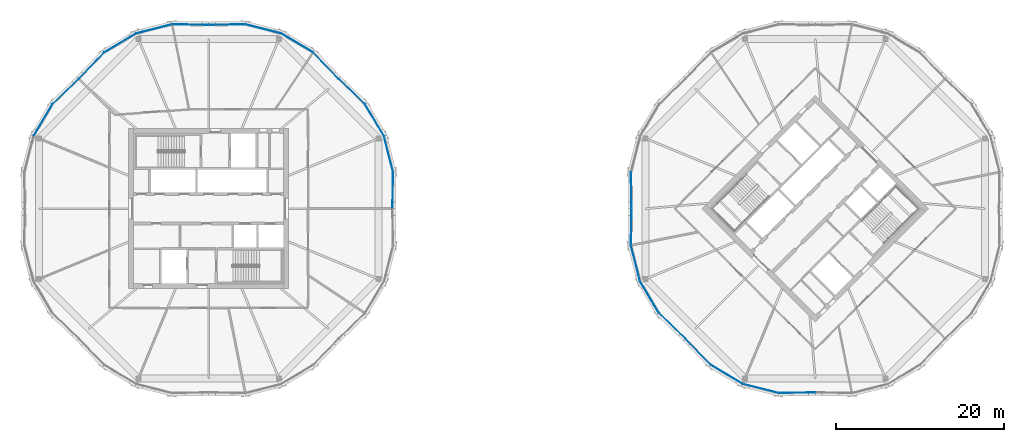
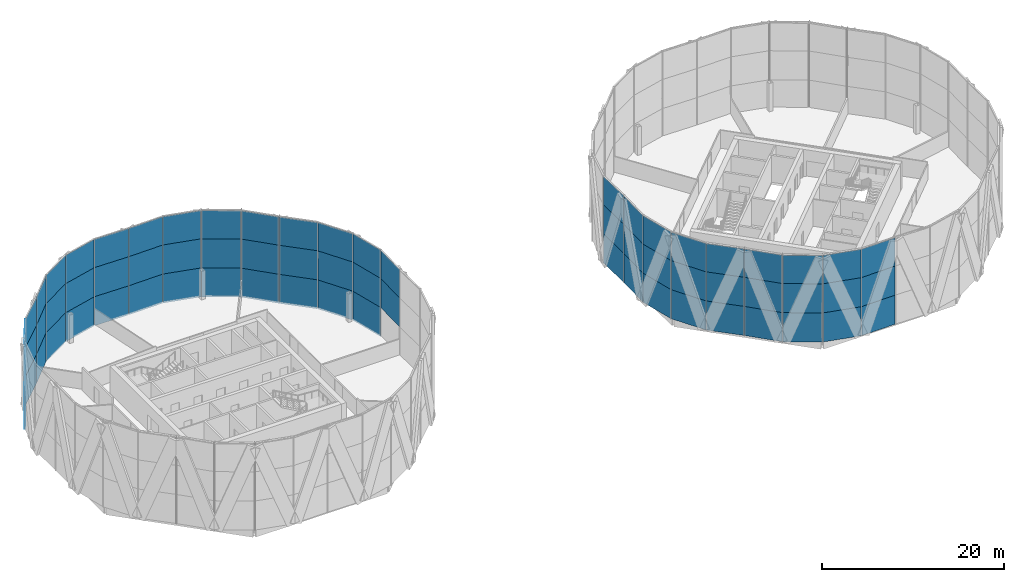
# One storey, part 14 of 23: 68 plates, 7 elements without a shape of their own.
"""IFC4 building model written with IfcOpenShell, lengths in metres."""

from ifc_helpers import new_model, si_unit, direction, frame, origin, origin_2d, place, context, subcontext, project, spatial, rectangle, extrude, material, layer, layer_set, type_object, element, aggregate, save


model = new_model("IFC4")

# Units and contexts
model_context = context("Model", 3, precision=1e-05, world=origin(), true_north=direction((0.0, 1.0)))
body_context = subcontext(model_context, "Body", "Model", "MODEL_VIEW")
ifc_project = project(units=[si_unit("LENGTHUNIT", "METRE"), si_unit("AREAUNIT", "SQUARE_METRE"), si_unit("VOLUMEUNIT", "CUBIC_METRE"), si_unit("PLANEANGLEUNIT", "RADIAN"), si_unit("MASSUNIT", "GRAM", prefix="KILO")], contexts=[model_context])

# Site, building, storey
site_placement = place(None, origin())
site = spatial("IfcSite", under=ifc_project, at=site_placement, CompositionType="ELEMENT")
building_placement = place(site_placement, origin())
building = spatial("IfcBuilding", under=site, at=building_placement, Name="Ogive Gate Towers", CompositionType="ELEMENT")
storey_placement = place(building_placement, frame((0.0, 0.0, 177.300048828125)))
storey = spatial("IfcBuildingStorey", under=building, at=storey_placement, Name="L42", CompositionType="ELEMENT", Elevation=177.300048828125)

# Curtain wall, plates
ifc_material_1 = material(Name="Pale metal aluminium", Category="aluminium")
curtain_wall_type = type_object("IfcCurtainWallType", Name="Tower unitised wall, high zone", PredefinedType="NOTDEFINED", material=ifc_material_1)
curtain_wall_1_placement = place(storey_placement, origin())
curtain_wall_1 = element("IfcCurtainWall", 1, at=curtain_wall_1_placement, inside=storey, type_object=curtain_wall_type, Name="CW2 T1 ECW01", PredefinedType="NOTDEFINED")
ifc_material_2 = material(Name="Clear glass", Category="glass")
ifc_layer = layer(ifc_material_2, 0.028076171875)
ifc_layer_set = layer_set([ifc_layer], Name="Tower unitised wall, high zone glass panel")
plate_type = type_object("IfcPlateType", Name="Tower unitised wall, high zone glass panel", PredefinedType="CURTAIN_PANEL", material=ifc_layer_set)
plate_1_placement = place(storey_placement, frame((-14.1533203125, 2.17041015625, 3.60009765625), z_axis=(0.0, 0.0, 1.0), x_axis=(0.016911434246, 0.99985699147, 0.0)))
plate_1 = element("IfcPlate", 2, at=plate_1_placement, type_object=plate_type, Name="CW2 glass panel", PredefinedType="CURTAIN_PANEL", context=body_context, shape_type="SweptSolid", body=[
    extrude(rectangle(XDim=4.287353515625, YDim=0.028076171875, at=origin_2d()), origin(), (0.0, 0.0, 1.0), 3.89990234375),
])
plate_2_placement = place(storey_placement, frame((-14.1533203125, 2.17041015625, 7.5), z_axis=(0.0, 0.0, 1.0), x_axis=(0.016911434246, 0.99985699147, 0.0)))
plate_2 = element("IfcPlate", 3, at=plate_2_placement, type_object=plate_type, Name="CW2 glass panel", PredefinedType="CURTAIN_PANEL", context=body_context, shape_type="SweptSolid", body=[
    extrude(rectangle(XDim=4.287353515625, YDim=0.028076171875, at=origin_2d()), origin(), (0.0, 0.0, 1.0), 3.803955078125),
])
plate_3_placement = place(storey_placement, frame((-14.659423828125, 6.4794921875, -0.300048828125), z_axis=(0.0, 0.0, 1.0), x_axis=(-0.246491603437, 0.969144926951, 0.0)))
plate_3 = element("IfcPlate", 4, at=plate_3_placement, type_object=plate_type, Name="CW2 glass panel", PredefinedType="CURTAIN_PANEL", context=body_context, shape_type="SweptSolid", body=[
    extrude(rectangle(XDim=4.343994140625, YDim=0.028076171875, at=origin_2d()), origin(), (0.0, 0.0, 1.0), 3.89990234375),
])
plate_4_placement = place(storey_placement, frame((-14.659423828125, 6.4794921875, 3.60009765625), z_axis=(0.0, 0.0, 1.0), x_axis=(-0.246491603437, 0.969144926951, 0.0)))
plate_4 = element("IfcPlate", 5, at=plate_4_placement, type_object=plate_type, Name="CW2 glass panel", PredefinedType="CURTAIN_PANEL", context=body_context, shape_type="SweptSolid", body=[
    extrude(rectangle(XDim=4.343994140625, YDim=0.028076171875, at=origin_2d()), origin(), (0.0, 0.0, 1.0), 3.89990234375),
])
plate_5_placement = place(storey_placement, frame((-14.659423828125, 6.4794921875, 7.5), z_axis=(0.0, 0.0, 1.0), x_axis=(-0.246491603437, 0.969144926951, 0.0)))
plate_5 = element("IfcPlate", 6, at=plate_5_placement, type_object=plate_type, Name="CW2 glass panel", PredefinedType="CURTAIN_PANEL", context=body_context, shape_type="SweptSolid", body=[
    extrude(rectangle(XDim=4.343994140625, YDim=0.028076171875, at=origin_2d()), origin(), (0.0, 0.0, 1.0), 3.803955078125),
])
plate_6_placement = place(storey_placement, frame((-16.328125, 10.50830078125, -0.300048828125), z_axis=(0.0, 0.0, 1.0), x_axis=(-0.510993065504, 0.859584834096, 0.0)))
plate_6 = element("IfcPlate", 7, at=plate_6_placement, type_object=plate_type, Name="CW2 glass panel", PredefinedType="CURTAIN_PANEL", context=body_context, shape_type="SweptSolid", body=[
    extrude(rectangle(XDim=4.343994140625, YDim=0.028076171875, at=origin_2d()), origin(), (0.0, 0.0, 1.0), 3.89990234375),
])
plate_7_placement = place(storey_placement, frame((-16.328125, 10.50830078125, 3.60009765625), z_axis=(0.0, 0.0, 1.0), x_axis=(-0.510993065504, 0.859584834096, 0.0)))
plate_7 = element("IfcPlate", 8, at=plate_7_placement, type_object=plate_type, Name="CW2 glass panel", PredefinedType="CURTAIN_PANEL", context=body_context, shape_type="SweptSolid", body=[
    extrude(rectangle(XDim=4.343994140625, YDim=0.028076171875, at=origin_2d()), origin(), (0.0, 0.0, 1.0), 3.89990234375),
])
plate_8_placement = place(storey_placement, frame((-16.328125, 10.50830078125, 7.5), z_axis=(0.0, 0.0, 1.0), x_axis=(-0.510993065504, 0.859584834096, 0.0)))
plate_8 = element("IfcPlate", 9, at=plate_8_placement, type_object=plate_type, Name="CW2 glass panel", PredefinedType="CURTAIN_PANEL", context=body_context, shape_type="SweptSolid", body=[
    extrude(rectangle(XDim=4.343994140625, YDim=0.028076171875, at=origin_2d()), origin(), (0.0, 0.0, 1.0), 3.803955078125),
])
plate_9_placement = place(storey_placement, frame((-19.017333984375, 13.9130859375, -0.300048828125), z_axis=(0.0, 0.0, 1.0), x_axis=(-0.71896384872, 0.69504746905, 0.0)))
plate_9 = element("IfcPlate", 10, at=plate_9_placement, type_object=plate_type, Name="CW2 glass panel", PredefinedType="CURTAIN_PANEL", context=body_context, shape_type="SweptSolid", body=[
    extrude(rectangle(XDim=4.287353515625, YDim=0.028076171875, at=origin_2d()), origin(), (0.0, 0.0, 1.0), 3.89990234375),
])
plate_10_placement = place(storey_placement, frame((-19.017333984375, 13.9130859375, 3.60009765625), z_axis=(0.0, 0.0, 1.0), x_axis=(-0.71896384872, 0.69504746905, 0.0)))
plate_10 = element("IfcPlate", 11, at=plate_10_placement, type_object=plate_type, Name="CW2 glass panel", PredefinedType="CURTAIN_PANEL", context=body_context, shape_type="SweptSolid", body=[
    extrude(rectangle(XDim=4.287353515625, YDim=0.028076171875, at=origin_2d()), origin(), (0.0, 0.0, 1.0), 3.89990234375),
])
plate_11_placement = place(storey_placement, frame((-19.017333984375, 13.9130859375, 7.5), z_axis=(0.0, 0.0, 1.0), x_axis=(-0.71896384872, 0.69504746905, 0.0)))
plate_11 = element("IfcPlate", 12, at=plate_11_placement, type_object=plate_type, Name="CW2 glass panel", PredefinedType="CURTAIN_PANEL", context=body_context, shape_type="SweptSolid", body=[
    extrude(rectangle(XDim=4.287353515625, YDim=0.028076171875, at=origin_2d()), origin(), (0.0, 0.0, 1.0), 3.803955078125),
])
aggregate(curtain_wall_1, [plate_1, plate_2, plate_3, plate_4, plate_5, plate_6, plate_7, plate_8, plate_9, plate_10, plate_11])

curtain_wall_2_placement = place(storey_placement, origin())
curtain_wall_2 = element("IfcCurtainWall", 13, at=curtain_wall_2_placement, inside=storey, type_object=curtain_wall_type, Name="CW2 T1 ECW02", PredefinedType="NOTDEFINED")
plate_12_placement = place(storey_placement, frame((-22.0869140625, 16.982666015625, -0.300048828125), z_axis=(0.0, 0.0, 1.0), x_axis=(-0.69504746905, 0.71896384872, 0.0)))
plate_12 = element("IfcPlate", 14, at=plate_12_placement, type_object=plate_type, Name="CW2 glass panel", PredefinedType="CURTAIN_PANEL", context=body_context, shape_type="SweptSolid", body=[
    extrude(rectangle(XDim=4.287353515625, YDim=0.028076171875, at=origin_2d()), origin(), (0.0, 0.0, 1.0), 3.89990234375),
])
plate_13_placement = place(storey_placement, frame((-22.0869140625, 16.982666015625, 3.60009765625), z_axis=(0.0, 0.0, 1.0), x_axis=(-0.69504746905, 0.71896384872, 0.0)))
plate_13 = element("IfcPlate", 15, at=plate_13_placement, type_object=plate_type, Name="CW2 glass panel", PredefinedType="CURTAIN_PANEL", context=body_context, shape_type="SweptSolid", body=[
    extrude(rectangle(XDim=4.287353515625, YDim=0.028076171875, at=origin_2d()), origin(), (0.0, 0.0, 1.0), 3.89990234375),
])
plate_14_placement = place(storey_placement, frame((-22.0869140625, 16.982666015625, 7.5), z_axis=(0.0, 0.0, 1.0), x_axis=(-0.69504746905, 0.71896384872, 0.0)))
plate_14 = element("IfcPlate", 16, at=plate_14_placement, type_object=plate_type, Name="CW2 glass panel", PredefinedType="CURTAIN_PANEL", context=body_context, shape_type="SweptSolid", body=[
    extrude(rectangle(XDim=4.287353515625, YDim=0.028076171875, at=origin_2d()), origin(), (0.0, 0.0, 1.0), 3.803955078125),
])
plate_15_placement = place(storey_placement, frame((-25.49169921875, 19.671875, -0.300048828125), z_axis=(0.0, 0.0, 1.0), x_axis=(-0.859584834096, 0.510993065504, 0.0)))
plate_15 = element("IfcPlate", 17, at=plate_15_placement, type_object=plate_type, Name="CW2 glass panel", PredefinedType="CURTAIN_PANEL", context=body_context, shape_type="SweptSolid", body=[
    extrude(rectangle(XDim=4.343994140625, YDim=0.028076171875, at=origin_2d()), origin(), (0.0, 0.0, 1.0), 3.89990234375),
])
plate_16_placement = place(storey_placement, frame((-25.49169921875, 19.671875, 3.60009765625), z_axis=(0.0, 0.0, 1.0), x_axis=(-0.859584834096, 0.510993065504, 0.0)))
plate_16 = element("IfcPlate", 18, at=plate_16_placement, type_object=plate_type, Name="CW2 glass panel", PredefinedType="CURTAIN_PANEL", context=body_context, shape_type="SweptSolid", body=[
    extrude(rectangle(XDim=4.343994140625, YDim=0.028076171875, at=origin_2d()), origin(), (0.0, 0.0, 1.0), 3.89990234375),
])
plate_17_placement = place(storey_placement, frame((-25.49169921875, 19.671875, 7.5), z_axis=(0.0, 0.0, 1.0), x_axis=(-0.859584834096, 0.510993065504, 0.0)))
plate_17 = element("IfcPlate", 19, at=plate_17_placement, type_object=plate_type, Name="CW2 glass panel", PredefinedType="CURTAIN_PANEL", context=body_context, shape_type="SweptSolid", body=[
    extrude(rectangle(XDim=4.343994140625, YDim=0.028076171875, at=origin_2d()), origin(), (0.0, 0.0, 1.0), 3.803955078125),
])
plate_18_placement = place(storey_placement, frame((-29.5205078125, 21.340576171875, -0.300048828125), z_axis=(0.0, 0.0, 1.0), x_axis=(-0.969144926951, 0.246491603437, 0.0)))
plate_18 = element("IfcPlate", 20, at=plate_18_placement, type_object=plate_type, Name="CW2 glass panel", PredefinedType="CURTAIN_PANEL", context=body_context, shape_type="SweptSolid", body=[
    extrude(rectangle(XDim=4.343994140625, YDim=0.028076171875, at=origin_2d()), origin(), (0.0, 0.0, 1.0), 3.89990234375),
])
plate_19_placement = place(storey_placement, frame((-29.5205078125, 21.340576171875, 3.60009765625), z_axis=(0.0, 0.0, 1.0), x_axis=(-0.969144926951, 0.246491603437, 0.0)))
plate_19 = element("IfcPlate", 21, at=plate_19_placement, type_object=plate_type, Name="CW2 glass panel", PredefinedType="CURTAIN_PANEL", context=body_context, shape_type="SweptSolid", body=[
    extrude(rectangle(XDim=4.343994140625, YDim=0.028076171875, at=origin_2d()), origin(), (0.0, 0.0, 1.0), 3.89990234375),
])
plate_20_placement = place(storey_placement, frame((-29.5205078125, 21.340576171875, 7.5), z_axis=(0.0, 0.0, 1.0), x_axis=(-0.969144926951, 0.246491603437, 0.0)))
plate_20 = element("IfcPlate", 22, at=plate_20_placement, type_object=plate_type, Name="CW2 glass panel", PredefinedType="CURTAIN_PANEL", context=body_context, shape_type="SweptSolid", body=[
    extrude(rectangle(XDim=4.343994140625, YDim=0.028076171875, at=origin_2d()), origin(), (0.0, 0.0, 1.0), 3.803955078125),
])
plate_21_placement = place(storey_placement, frame((-33.82958984375, 21.8466796875, -0.300048828125), z_axis=(0.0, 0.0, 1.0), x_axis=(-0.99985699147, -0.016911434246, 0.0)))
plate_21 = element("IfcPlate", 23, at=plate_21_placement, type_object=plate_type, Name="CW2 glass panel", PredefinedType="CURTAIN_PANEL", context=body_context, shape_type="SweptSolid", body=[
    extrude(rectangle(XDim=4.287353515625, YDim=0.028076171875, at=origin_2d()), origin(), (0.0, 0.0, 1.0), 3.89990234375),
])
plate_22_placement = place(storey_placement, frame((-33.82958984375, 21.8466796875, 3.60009765625), z_axis=(0.0, 0.0, 1.0), x_axis=(-0.99985699147, -0.016911434246, 0.0)))
plate_22 = element("IfcPlate", 24, at=plate_22_placement, type_object=plate_type, Name="CW2 glass panel", PredefinedType="CURTAIN_PANEL", context=body_context, shape_type="SweptSolid", body=[
    extrude(rectangle(XDim=4.287353515625, YDim=0.028076171875, at=origin_2d()), origin(), (0.0, 0.0, 1.0), 3.89990234375),
])
plate_23_placement = place(storey_placement, frame((-33.82958984375, 21.8466796875, 7.5), z_axis=(0.0, 0.0, 1.0), x_axis=(-0.99985699147, -0.016911434246, 0.0)))
plate_23 = element("IfcPlate", 25, at=plate_23_placement, type_object=plate_type, Name="CW2 glass panel", PredefinedType="CURTAIN_PANEL", context=body_context, shape_type="SweptSolid", body=[
    extrude(rectangle(XDim=4.287353515625, YDim=0.028076171875, at=origin_2d()), origin(), (0.0, 0.0, 1.0), 3.803955078125),
])
aggregate(curtain_wall_2, [plate_12, plate_13, plate_14, plate_15, plate_16, plate_17, plate_18, plate_19, plate_20, plate_21, plate_22, plate_23])

curtain_wall_3_placement = place(storey_placement, origin())
curtain_wall_3 = element("IfcCurtainWall", 26, at=curtain_wall_3_placement, inside=storey, type_object=curtain_wall_type, Name="CW2 T1 ECW03", PredefinedType="NOTDEFINED")
plate_24_placement = place(storey_placement, frame((-38.17041015625, 21.8466796875, -0.300048828125), z_axis=(0.0, 0.0, 1.0), x_axis=(-0.99985699147, 0.016911434246, 0.0)))
plate_24 = element("IfcPlate", 27, at=plate_24_placement, type_object=plate_type, Name="CW2 glass panel", PredefinedType="CURTAIN_PANEL", context=body_context, shape_type="SweptSolid", body=[
    extrude(rectangle(XDim=4.287353515625, YDim=0.028076171875, at=origin_2d()), origin(), (0.0, 0.0, 1.0), 3.89990234375),
])
plate_25_placement = place(storey_placement, frame((-38.17041015625, 21.8466796875, 3.60009765625), z_axis=(0.0, 0.0, 1.0), x_axis=(-0.99985699147, 0.016911434246, 0.0)))
plate_25 = element("IfcPlate", 28, at=plate_25_placement, type_object=plate_type, Name="CW2 glass panel", PredefinedType="CURTAIN_PANEL", context=body_context, shape_type="SweptSolid", body=[
    extrude(rectangle(XDim=4.287353515625, YDim=0.028076171875, at=origin_2d()), origin(), (0.0, 0.0, 1.0), 3.89990234375),
])
plate_26_placement = place(storey_placement, frame((-38.17041015625, 21.8466796875, 7.5), z_axis=(0.0, 0.0, 1.0), x_axis=(-0.99985699147, 0.016911434246, 0.0)))
plate_26 = element("IfcPlate", 29, at=plate_26_placement, type_object=plate_type, Name="CW2 glass panel", PredefinedType="CURTAIN_PANEL", context=body_context, shape_type="SweptSolid", body=[
    extrude(rectangle(XDim=4.287353515625, YDim=0.028076171875, at=origin_2d()), origin(), (0.0, 0.0, 1.0), 3.803955078125),
])
plate_27_placement = place(storey_placement, frame((-42.4794921875, 21.340576171875, -0.300048828125), z_axis=(0.0, 0.0, 1.0), x_axis=(-0.969144926951, -0.246491603437, 0.0)))
plate_27 = element("IfcPlate", 30, at=plate_27_placement, type_object=plate_type, Name="CW2 glass panel", PredefinedType="CURTAIN_PANEL", context=body_context, shape_type="SweptSolid", body=[
    extrude(rectangle(XDim=4.343994140625, YDim=0.028076171875, at=origin_2d()), origin(), (0.0, 0.0, 1.0), 3.89990234375),
])
plate_28_placement = place(storey_placement, frame((-42.4794921875, 21.340576171875, 3.60009765625), z_axis=(0.0, 0.0, 1.0), x_axis=(-0.969144926951, -0.246491603437, 0.0)))
plate_28 = element("IfcPlate", 31, at=plate_28_placement, type_object=plate_type, Name="CW2 glass panel", PredefinedType="CURTAIN_PANEL", context=body_context, shape_type="SweptSolid", body=[
    extrude(rectangle(XDim=4.343994140625, YDim=0.028076171875, at=origin_2d()), origin(), (0.0, 0.0, 1.0), 3.89990234375),
])
plate_29_placement = place(storey_placement, frame((-42.4794921875, 21.340576171875, 7.5), z_axis=(0.0, 0.0, 1.0), x_axis=(-0.969144926951, -0.246491603437, 0.0)))
plate_29 = element("IfcPlate", 32, at=plate_29_placement, type_object=plate_type, Name="CW2 glass panel", PredefinedType="CURTAIN_PANEL", context=body_context, shape_type="SweptSolid", body=[
    extrude(rectangle(XDim=4.343994140625, YDim=0.028076171875, at=origin_2d()), origin(), (0.0, 0.0, 1.0), 3.803955078125),
])
plate_30_placement = place(storey_placement, frame((-46.50830078125, 19.671875, -0.300048828125), z_axis=(0.0, 0.0, 1.0), x_axis=(-0.859584834096, -0.510993065504, 0.0)))
plate_30 = element("IfcPlate", 33, at=plate_30_placement, type_object=plate_type, Name="CW2 glass panel", PredefinedType="CURTAIN_PANEL", context=body_context, shape_type="SweptSolid", body=[
    extrude(rectangle(XDim=4.343994140625, YDim=0.028076171875, at=origin_2d()), origin(), (0.0, 0.0, 1.0), 3.89990234375),
])
plate_31_placement = place(storey_placement, frame((-46.50830078125, 19.671875, 3.60009765625), z_axis=(0.0, 0.0, 1.0), x_axis=(-0.859584834096, -0.510993065504, 0.0)))
plate_31 = element("IfcPlate", 34, at=plate_31_placement, type_object=plate_type, Name="CW2 glass panel", PredefinedType="CURTAIN_PANEL", context=body_context, shape_type="SweptSolid", body=[
    extrude(rectangle(XDim=4.343994140625, YDim=0.028076171875, at=origin_2d()), origin(), (0.0, 0.0, 1.0), 3.89990234375),
])
plate_32_placement = place(storey_placement, frame((-46.50830078125, 19.671875, 7.5), z_axis=(0.0, 0.0, 1.0), x_axis=(-0.859584834096, -0.510993065504, 0.0)))
plate_32 = element("IfcPlate", 35, at=plate_32_placement, type_object=plate_type, Name="CW2 glass panel", PredefinedType="CURTAIN_PANEL", context=body_context, shape_type="SweptSolid", body=[
    extrude(rectangle(XDim=4.343994140625, YDim=0.028076171875, at=origin_2d()), origin(), (0.0, 0.0, 1.0), 3.803955078125),
])
plate_33_placement = place(storey_placement, frame((-49.9130859375, 16.982666015625, -0.300048828125), z_axis=(0.0, 0.0, 1.0), x_axis=(-0.69504746905, -0.71896384872, 0.0)))
plate_33 = element("IfcPlate", 36, at=plate_33_placement, type_object=plate_type, Name="CW2 glass panel", PredefinedType="CURTAIN_PANEL", context=body_context, shape_type="SweptSolid", body=[
    extrude(rectangle(XDim=4.287353515625, YDim=0.028076171875, at=origin_2d()), origin(), (0.0, 0.0, 1.0), 3.89990234375),
])
plate_34_placement = place(storey_placement, frame((-49.9130859375, 16.982666015625, 3.60009765625), z_axis=(0.0, 0.0, 1.0), x_axis=(-0.69504746905, -0.71896384872, 0.0)))
plate_34 = element("IfcPlate", 37, at=plate_34_placement, type_object=plate_type, Name="CW2 glass panel", PredefinedType="CURTAIN_PANEL", context=body_context, shape_type="SweptSolid", body=[
    extrude(rectangle(XDim=4.287353515625, YDim=0.028076171875, at=origin_2d()), origin(), (0.0, 0.0, 1.0), 3.89990234375),
])
plate_35_placement = place(storey_placement, frame((-49.9130859375, 16.982666015625, 7.5), z_axis=(0.0, 0.0, 1.0), x_axis=(-0.69504746905, -0.71896384872, 0.0)))
plate_35 = element("IfcPlate", 38, at=plate_35_placement, type_object=plate_type, Name="CW2 glass panel", PredefinedType="CURTAIN_PANEL", context=body_context, shape_type="SweptSolid", body=[
    extrude(rectangle(XDim=4.287353515625, YDim=0.028076171875, at=origin_2d()), origin(), (0.0, 0.0, 1.0), 3.803955078125),
])
aggregate(curtain_wall_3, [plate_24, plate_25, plate_26, plate_27, plate_28, plate_29, plate_30, plate_31, plate_32, plate_33, plate_34, plate_35])

curtain_wall_4_placement = place(storey_placement, origin())
curtain_wall_4 = element("IfcCurtainWall", 39, at=curtain_wall_4_placement, inside=storey, type_object=curtain_wall_type, Name="CW2 T1 ECW04", PredefinedType="NOTDEFINED")
plate_36_placement = place(storey_placement, frame((-52.982666015625, 13.9130859375, -0.300048828125), z_axis=(0.0, 0.0, 1.0), x_axis=(-0.71896384872, -0.69504746905, 0.0)))
plate_36 = element("IfcPlate", 40, at=plate_36_placement, type_object=plate_type, Name="CW2 glass panel", PredefinedType="CURTAIN_PANEL", context=body_context, shape_type="SweptSolid", body=[
    extrude(rectangle(XDim=4.287353515625, YDim=0.028076171875, at=origin_2d()), origin(), (0.0, 0.0, 1.0), 3.89990234375),
])
plate_37_placement = place(storey_placement, frame((-52.982666015625, 13.9130859375, 3.60009765625), z_axis=(0.0, 0.0, 1.0), x_axis=(-0.71896384872, -0.69504746905, 0.0)))
plate_37 = element("IfcPlate", 41, at=plate_37_placement, type_object=plate_type, Name="CW2 glass panel", PredefinedType="CURTAIN_PANEL", context=body_context, shape_type="SweptSolid", body=[
    extrude(rectangle(XDim=4.287353515625, YDim=0.028076171875, at=origin_2d()), origin(), (0.0, 0.0, 1.0), 3.89990234375),
])
plate_38_placement = place(storey_placement, frame((-52.982666015625, 13.9130859375, 7.5), z_axis=(0.0, 0.0, 1.0), x_axis=(-0.71896384872, -0.69504746905, 0.0)))
plate_38 = element("IfcPlate", 42, at=plate_38_placement, type_object=plate_type, Name="CW2 glass panel", PredefinedType="CURTAIN_PANEL", context=body_context, shape_type="SweptSolid", body=[
    extrude(rectangle(XDim=4.287353515625, YDim=0.028076171875, at=origin_2d()), origin(), (0.0, 0.0, 1.0), 3.803955078125),
])
plate_39_placement = place(storey_placement, frame((-55.671875, 10.50830078125, -0.300048828125), z_axis=(0.0, 0.0, 1.0), x_axis=(-0.510993065504, -0.859584834096, 0.0)))
plate_39 = element("IfcPlate", 43, at=plate_39_placement, type_object=plate_type, Name="CW2 glass panel", PredefinedType="CURTAIN_PANEL", context=body_context, shape_type="SweptSolid", body=[
    extrude(rectangle(XDim=4.343994140625, YDim=0.028076171875, at=origin_2d()), origin(), (0.0, 0.0, 1.0), 3.89990234375),
])
plate_40_placement = place(storey_placement, frame((-55.671875, 10.50830078125, 3.60009765625), z_axis=(0.0, 0.0, 1.0), x_axis=(-0.510993065504, -0.859584834096, 0.0)))
plate_40 = element("IfcPlate", 44, at=plate_40_placement, type_object=plate_type, Name="CW2 glass panel", PredefinedType="CURTAIN_PANEL", context=body_context, shape_type="SweptSolid", body=[
    extrude(rectangle(XDim=4.343994140625, YDim=0.028076171875, at=origin_2d()), origin(), (0.0, 0.0, 1.0), 3.89990234375),
])
plate_41_placement = place(storey_placement, frame((-55.671875, 10.50830078125, 7.5), z_axis=(0.0, 0.0, 1.0), x_axis=(-0.510993065504, -0.859584834096, 0.0)))
plate_41 = element("IfcPlate", 45, at=plate_41_placement, type_object=plate_type, Name="CW2 glass panel", PredefinedType="CURTAIN_PANEL", context=body_context, shape_type="SweptSolid", body=[
    extrude(rectangle(XDim=4.343994140625, YDim=0.028076171875, at=origin_2d()), origin(), (0.0, 0.0, 1.0), 3.803955078125),
])
aggregate(curtain_wall_4, [plate_36, plate_37, plate_38, plate_39, plate_40, plate_41])

curtain_wall_5_placement = place(storey_placement, origin())
curtain_wall_5 = element("IfcCurtainWall", 46, at=curtain_wall_5_placement, inside=storey, type_object=curtain_wall_type, Name="CW2 T2 ECW04", PredefinedType="NOTDEFINED")
plate_42_placement = place(storey_placement, frame((14.1533203125, 2.17041015625, -0.300048828125), z_axis=(0.0, 0.0, 1.0), x_axis=(0.016911434246, -0.99985699147, 0.0)))
plate_42 = element("IfcPlate", 47, at=plate_42_placement, type_object=plate_type, Name="CW2 glass panel", PredefinedType="CURTAIN_PANEL", context=body_context, shape_type="SweptSolid", body=[
    extrude(rectangle(XDim=4.287353515625, YDim=0.028076171875, at=origin_2d()), origin(), (0.0, 0.0, 1.0), 3.89990234375),
])
plate_43_placement = place(storey_placement, frame((14.1533203125, 2.17041015625, 3.60009765625), z_axis=(0.0, 0.0, 1.0), x_axis=(0.016911434246, -0.99985699147, 0.0)))
plate_43 = element("IfcPlate", 48, at=plate_43_placement, type_object=plate_type, Name="CW2 glass panel", PredefinedType="CURTAIN_PANEL", context=body_context, shape_type="SweptSolid", body=[
    extrude(rectangle(XDim=4.287353515625, YDim=0.028076171875, at=origin_2d()), origin(), (0.0, 0.0, 1.0), 3.89990234375),
])
plate_44_placement = place(storey_placement, frame((14.1533203125, 2.17041015625, 7.5), z_axis=(0.0, 0.0, 1.0), x_axis=(0.016911434246, -0.99985699147, 0.0)))
plate_44 = element("IfcPlate", 49, at=plate_44_placement, type_object=plate_type, Name="CW2 glass panel", PredefinedType="CURTAIN_PANEL", context=body_context, shape_type="SweptSolid", body=[
    extrude(rectangle(XDim=4.287353515625, YDim=0.028076171875, at=origin_2d()), origin(), (0.0, 0.0, 1.0), 3.803955078125),
])
aggregate(curtain_wall_5, [plate_42, plate_43, plate_44])

curtain_wall_6_placement = place(storey_placement, origin())
curtain_wall_6 = element("IfcCurtainWall", 50, at=curtain_wall_6_placement, inside=storey, type_object=curtain_wall_type, Name="CW2 T2 ECW05", PredefinedType="NOTDEFINED")
plate_45_placement = place(storey_placement, frame((14.1533203125, -2.17041015625, -0.300048828125), z_axis=(0.0, 0.0, 1.0), x_axis=(-0.016911434246, -0.99985699147, 0.0)))
plate_45 = element("IfcPlate", 51, at=plate_45_placement, type_object=plate_type, Name="CW2 glass panel", PredefinedType="CURTAIN_PANEL", context=body_context, shape_type="SweptSolid", body=[
    extrude(rectangle(XDim=4.287353515625, YDim=0.028076171875, at=origin_2d()), origin(), (0.0, 0.0, 1.0), 3.89990234375),
])
plate_46_placement = place(storey_placement, frame((14.1533203125, -2.17041015625, 3.60009765625), z_axis=(0.0, 0.0, 1.0), x_axis=(-0.016911434246, -0.99985699147, 0.0)))
plate_46 = element("IfcPlate", 52, at=plate_46_placement, type_object=plate_type, Name="CW2 glass panel", PredefinedType="CURTAIN_PANEL", context=body_context, shape_type="SweptSolid", body=[
    extrude(rectangle(XDim=4.287353515625, YDim=0.028076171875, at=origin_2d()), origin(), (0.0, 0.0, 1.0), 3.89990234375),
])
plate_47_placement = place(storey_placement, frame((14.1533203125, -2.17041015625, 7.5), z_axis=(0.0, 0.0, 1.0), x_axis=(-0.016911434246, -0.99985699147, 0.0)))
plate_47 = element("IfcPlate", 53, at=plate_47_placement, type_object=plate_type, Name="CW2 glass panel", PredefinedType="CURTAIN_PANEL", context=body_context, shape_type="SweptSolid", body=[
    extrude(rectangle(XDim=4.287353515625, YDim=0.028076171875, at=origin_2d()), origin(), (0.0, 0.0, 1.0), 3.803955078125),
])
plate_48_placement = place(storey_placement, frame((14.659423828125, -6.4794921875, -0.300048828125), z_axis=(0.0, 0.0, 1.0), x_axis=(0.246491603437, -0.969144926951, 0.0)))
plate_48 = element("IfcPlate", 54, at=plate_48_placement, type_object=plate_type, Name="CW2 glass panel", PredefinedType="CURTAIN_PANEL", context=body_context, shape_type="SweptSolid", body=[
    extrude(rectangle(XDim=4.343994140625, YDim=0.028076171875, at=origin_2d()), origin(), (0.0, 0.0, 1.0), 3.89990234375),
])
plate_49_placement = place(storey_placement, frame((14.659423828125, -6.4794921875, 3.60009765625), z_axis=(0.0, 0.0, 1.0), x_axis=(0.246491603437, -0.969144926951, 0.0)))
plate_49 = element("IfcPlate", 55, at=plate_49_placement, type_object=plate_type, Name="CW2 glass panel", PredefinedType="CURTAIN_PANEL", context=body_context, shape_type="SweptSolid", body=[
    extrude(rectangle(XDim=4.343994140625, YDim=0.028076171875, at=origin_2d()), origin(), (0.0, 0.0, 1.0), 3.89990234375),
])
plate_50_placement = place(storey_placement, frame((14.659423828125, -6.4794921875, 7.5), z_axis=(0.0, 0.0, 1.0), x_axis=(0.246491603437, -0.969144926951, 0.0)))
plate_50 = element("IfcPlate", 56, at=plate_50_placement, type_object=plate_type, Name="CW2 glass panel", PredefinedType="CURTAIN_PANEL", context=body_context, shape_type="SweptSolid", body=[
    extrude(rectangle(XDim=4.343994140625, YDim=0.028076171875, at=origin_2d()), origin(), (0.0, 0.0, 1.0), 3.803955078125),
])
plate_51_placement = place(storey_placement, frame((16.328125, -10.50830078125, -0.300048828125), z_axis=(0.0, 0.0, 1.0), x_axis=(0.510993065504, -0.859584834096, 0.0)))
plate_51 = element("IfcPlate", 57, at=plate_51_placement, type_object=plate_type, Name="CW2 glass panel", PredefinedType="CURTAIN_PANEL", context=body_context, shape_type="SweptSolid", body=[
    extrude(rectangle(XDim=4.343994140625, YDim=0.028076171875, at=origin_2d()), origin(), (0.0, 0.0, 1.0), 3.89990234375),
])
plate_52_placement = place(storey_placement, frame((16.328125, -10.50830078125, 3.60009765625), z_axis=(0.0, 0.0, 1.0), x_axis=(0.510993065504, -0.859584834096, 0.0)))
plate_52 = element("IfcPlate", 58, at=plate_52_placement, type_object=plate_type, Name="CW2 glass panel", PredefinedType="CURTAIN_PANEL", context=body_context, shape_type="SweptSolid", body=[
    extrude(rectangle(XDim=4.343994140625, YDim=0.028076171875, at=origin_2d()), origin(), (0.0, 0.0, 1.0), 3.89990234375),
])
plate_53_placement = place(storey_placement, frame((16.328125, -10.50830078125, 7.5), z_axis=(0.0, 0.0, 1.0), x_axis=(0.510993065504, -0.859584834096, 0.0)))
plate_53 = element("IfcPlate", 59, at=plate_53_placement, type_object=plate_type, Name="CW2 glass panel", PredefinedType="CURTAIN_PANEL", context=body_context, shape_type="SweptSolid", body=[
    extrude(rectangle(XDim=4.343994140625, YDim=0.028076171875, at=origin_2d()), origin(), (0.0, 0.0, 1.0), 3.803955078125),
])
plate_54_placement = place(storey_placement, frame((19.017333984375, -13.9130859375, -0.300048828125), z_axis=(0.0, 0.0, 1.0), x_axis=(0.71896384872, -0.69504746905, 0.0)))
plate_54 = element("IfcPlate", 60, at=plate_54_placement, type_object=plate_type, Name="CW2 glass panel", PredefinedType="CURTAIN_PANEL", context=body_context, shape_type="SweptSolid", body=[
    extrude(rectangle(XDim=4.287353515625, YDim=0.028076171875, at=origin_2d()), origin(), (0.0, 0.0, 1.0), 3.89990234375),
])
plate_55_placement = place(storey_placement, frame((19.017333984375, -13.9130859375, 3.60009765625), z_axis=(0.0, 0.0, 1.0), x_axis=(0.71896384872, -0.69504746905, 0.0)))
plate_55 = element("IfcPlate", 61, at=plate_55_placement, type_object=plate_type, Name="CW2 glass panel", PredefinedType="CURTAIN_PANEL", context=body_context, shape_type="SweptSolid", body=[
    extrude(rectangle(XDim=4.287353515625, YDim=0.028076171875, at=origin_2d()), origin(), (0.0, 0.0, 1.0), 3.89990234375),
])
plate_56_placement = place(storey_placement, frame((19.017333984375, -13.9130859375, 7.5), z_axis=(0.0, 0.0, 1.0), x_axis=(0.71896384872, -0.69504746905, 0.0)))
plate_56 = element("IfcPlate", 62, at=plate_56_placement, type_object=plate_type, Name="CW2 glass panel", PredefinedType="CURTAIN_PANEL", context=body_context, shape_type="SweptSolid", body=[
    extrude(rectangle(XDim=4.287353515625, YDim=0.028076171875, at=origin_2d()), origin(), (0.0, 0.0, 1.0), 3.803955078125),
])
aggregate(curtain_wall_6, [plate_45, plate_46, plate_47, plate_48, plate_49, plate_50, plate_51, plate_52, plate_53, plate_54, plate_55, plate_56])

curtain_wall_7_placement = place(storey_placement, origin())
curtain_wall_7 = element("IfcCurtainWall", 63, at=curtain_wall_7_placement, inside=storey, type_object=curtain_wall_type, Name="CW2 T2 ECW06", PredefinedType="NOTDEFINED")
plate_57_placement = place(storey_placement, frame((22.0869140625, -16.982666015625, -0.300048828125), z_axis=(0.0, 0.0, 1.0), x_axis=(0.69504746905, -0.71896384872, 0.0)))
plate_57 = element("IfcPlate", 64, at=plate_57_placement, type_object=plate_type, Name="CW2 glass panel", PredefinedType="CURTAIN_PANEL", context=body_context, shape_type="SweptSolid", body=[
    extrude(rectangle(XDim=4.287353515625, YDim=0.028076171875, at=origin_2d()), origin(), (0.0, 0.0, 1.0), 3.89990234375),
])
plate_58_placement = place(storey_placement, frame((22.0869140625, -16.982666015625, 3.60009765625), z_axis=(0.0, 0.0, 1.0), x_axis=(0.69504746905, -0.71896384872, 0.0)))
plate_58 = element("IfcPlate", 65, at=plate_58_placement, type_object=plate_type, Name="CW2 glass panel", PredefinedType="CURTAIN_PANEL", context=body_context, shape_type="SweptSolid", body=[
    extrude(rectangle(XDim=4.287353515625, YDim=0.028076171875, at=origin_2d()), origin(), (0.0, 0.0, 1.0), 3.89990234375),
])
plate_59_placement = place(storey_placement, frame((22.0869140625, -16.982666015625, 7.5), z_axis=(0.0, 0.0, 1.0), x_axis=(0.69504746905, -0.71896384872, 0.0)))
plate_59 = element("IfcPlate", 66, at=plate_59_placement, type_object=plate_type, Name="CW2 glass panel", PredefinedType="CURTAIN_PANEL", context=body_context, shape_type="SweptSolid", body=[
    extrude(rectangle(XDim=4.287353515625, YDim=0.028076171875, at=origin_2d()), origin(), (0.0, 0.0, 1.0), 3.803955078125),
])
plate_60_placement = place(storey_placement, frame((25.49169921875, -19.671875, -0.300048828125), z_axis=(0.0, 0.0, 1.0), x_axis=(0.859584834096, -0.510993065504, 0.0)))
plate_60 = element("IfcPlate", 67, at=plate_60_placement, type_object=plate_type, Name="CW2 glass panel", PredefinedType="CURTAIN_PANEL", context=body_context, shape_type="SweptSolid", body=[
    extrude(rectangle(XDim=4.343994140625, YDim=0.028076171875, at=origin_2d()), origin(), (0.0, 0.0, 1.0), 3.89990234375),
])
plate_61_placement = place(storey_placement, frame((25.49169921875, -19.671875, 3.60009765625), z_axis=(0.0, 0.0, 1.0), x_axis=(0.859584834096, -0.510993065504, 0.0)))
plate_61 = element("IfcPlate", 68, at=plate_61_placement, type_object=plate_type, Name="CW2 glass panel", PredefinedType="CURTAIN_PANEL", context=body_context, shape_type="SweptSolid", body=[
    extrude(rectangle(XDim=4.343994140625, YDim=0.028076171875, at=origin_2d()), origin(), (0.0, 0.0, 1.0), 3.89990234375),
])
plate_62_placement = place(storey_placement, frame((25.49169921875, -19.671875, 7.5), z_axis=(0.0, 0.0, 1.0), x_axis=(0.859584834096, -0.510993065504, 0.0)))
plate_62 = element("IfcPlate", 69, at=plate_62_placement, type_object=plate_type, Name="CW2 glass panel", PredefinedType="CURTAIN_PANEL", context=body_context, shape_type="SweptSolid", body=[
    extrude(rectangle(XDim=4.343994140625, YDim=0.028076171875, at=origin_2d()), origin(), (0.0, 0.0, 1.0), 3.803955078125),
])
plate_63_placement = place(storey_placement, frame((29.5205078125, -21.340576171875, -0.300048828125), z_axis=(0.0, 0.0, 1.0), x_axis=(0.969144926951, -0.246491603437, 0.0)))
plate_63 = element("IfcPlate", 70, at=plate_63_placement, type_object=plate_type, Name="CW2 glass panel", PredefinedType="CURTAIN_PANEL", context=body_context, shape_type="SweptSolid", body=[
    extrude(rectangle(XDim=4.343994140625, YDim=0.028076171875, at=origin_2d()), origin(), (0.0, 0.0, 1.0), 3.89990234375),
])
plate_64_placement = place(storey_placement, frame((29.5205078125, -21.340576171875, 3.60009765625), z_axis=(0.0, 0.0, 1.0), x_axis=(0.969144926951, -0.246491603437, 0.0)))
plate_64 = element("IfcPlate", 71, at=plate_64_placement, type_object=plate_type, Name="CW2 glass panel", PredefinedType="CURTAIN_PANEL", context=body_context, shape_type="SweptSolid", body=[
    extrude(rectangle(XDim=4.343994140625, YDim=0.028076171875, at=origin_2d()), origin(), (0.0, 0.0, 1.0), 3.89990234375),
])
plate_65_placement = place(storey_placement, frame((29.5205078125, -21.340576171875, 7.5), z_axis=(0.0, 0.0, 1.0), x_axis=(0.969144926951, -0.246491603437, 0.0)))
plate_65 = element("IfcPlate", 72, at=plate_65_placement, type_object=plate_type, Name="CW2 glass panel", PredefinedType="CURTAIN_PANEL", context=body_context, shape_type="SweptSolid", body=[
    extrude(rectangle(XDim=4.343994140625, YDim=0.028076171875, at=origin_2d()), origin(), (0.0, 0.0, 1.0), 3.803955078125),
])
plate_66_placement = place(storey_placement, frame((33.82958984375, -21.8466796875, -0.300048828125), z_axis=(0.0, 0.0, 1.0), x_axis=(0.99985699147, 0.016911434246, 0.0)))
plate_66 = element("IfcPlate", 73, at=plate_66_placement, type_object=plate_type, Name="CW2 glass panel", PredefinedType="CURTAIN_PANEL", context=body_context, shape_type="SweptSolid", body=[
    extrude(rectangle(XDim=4.287353515625, YDim=0.028076171875, at=origin_2d()), origin(), (0.0, 0.0, 1.0), 3.89990234375),
])
plate_67_placement = place(storey_placement, frame((33.82958984375, -21.8466796875, 3.60009765625), z_axis=(0.0, 0.0, 1.0), x_axis=(0.99985699147, 0.016911434246, 0.0)))
plate_67 = element("IfcPlate", 74, at=plate_67_placement, type_object=plate_type, Name="CW2 glass panel", PredefinedType="CURTAIN_PANEL", context=body_context, shape_type="SweptSolid", body=[
    extrude(rectangle(XDim=4.287353515625, YDim=0.028076171875, at=origin_2d()), origin(), (0.0, 0.0, 1.0), 3.89990234375),
])
plate_68_placement = place(storey_placement, frame((33.82958984375, -21.8466796875, 7.5), z_axis=(0.0, 0.0, 1.0), x_axis=(0.99985699147, 0.016911434246, 0.0)))
plate_68 = element("IfcPlate", 75, at=plate_68_placement, type_object=plate_type, Name="CW2 glass panel", PredefinedType="CURTAIN_PANEL", context=body_context, shape_type="SweptSolid", body=[
    extrude(rectangle(XDim=4.287353515625, YDim=0.028076171875, at=origin_2d()), origin(), (0.0, 0.0, 1.0), 3.803955078125),
])
aggregate(curtain_wall_7, [plate_57, plate_58, plate_59, plate_60, plate_61, plate_62, plate_63, plate_64, plate_65, plate_66, plate_67, plate_68])

save(model, "model.ifc")
